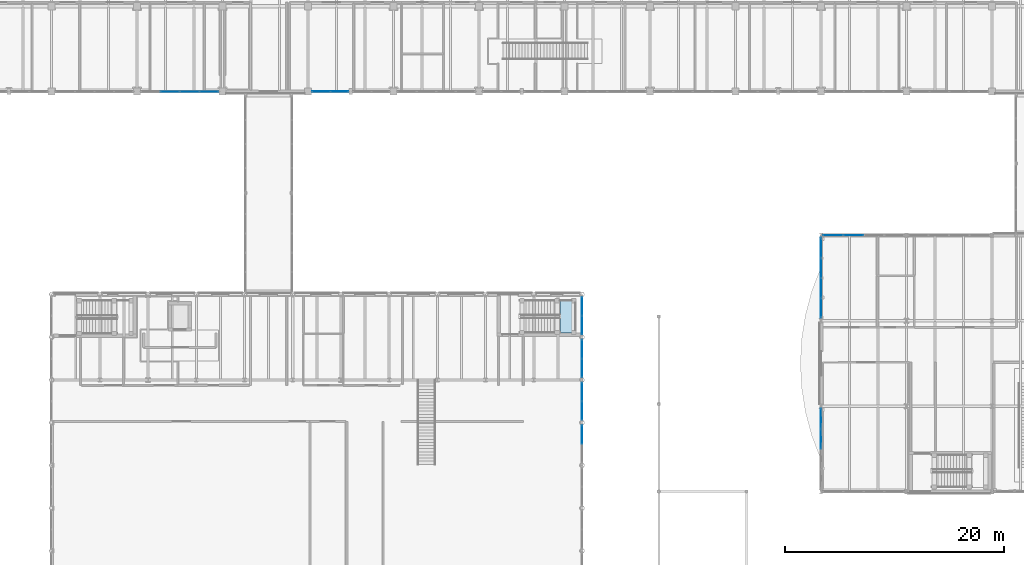
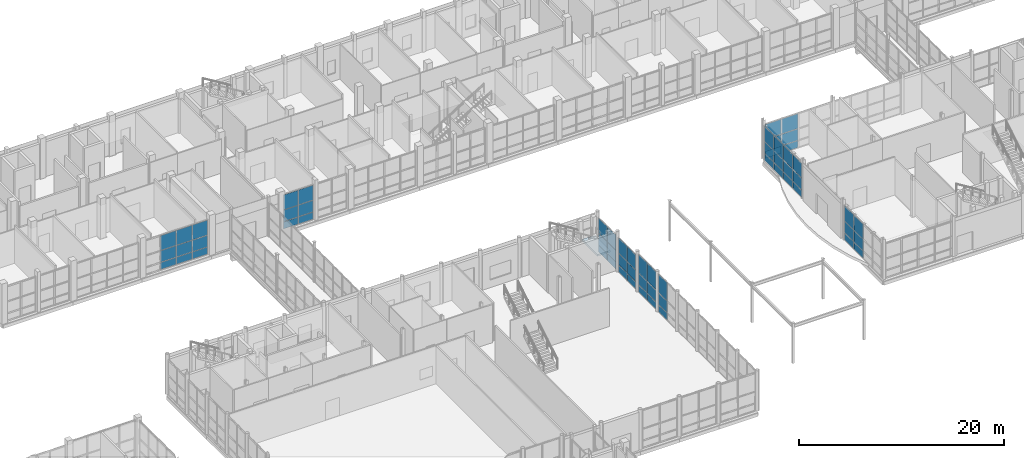
# One storey, part 79 of 131: 60 plates, 1 slab, 10 elements without a shape of their own.
"""IFC4 building model written with IfcOpenShell, lengths in metres."""

from ifc_helpers import new_model, si_unit, direction, frame, origin, origin_2d, place, context, subcontext, project, spatial, polyline, rectangle, outline, extrude, material, layer, layer_set, type_object, element, aggregate, save


model = new_model("IFC4")

# Units and contexts
model_context = context("Model", 3, precision=1e-05, world=origin(), true_north=direction((0.0, 1.0)))
body_context = subcontext(model_context, "Body", "Model", "MODEL_VIEW")
ifc_project = project(units=[si_unit("LENGTHUNIT", "METRE"), si_unit("AREAUNIT", "SQUARE_METRE"), si_unit("VOLUMEUNIT", "CUBIC_METRE"), si_unit("PLANEANGLEUNIT", "RADIAN"), si_unit("MASSUNIT", "GRAM", prefix="KILO")], contexts=[model_context])

# Site, building, storey
site_placement = place(None, origin())
site = spatial("IfcSite", under=ifc_project, at=site_placement, CompositionType="ELEMENT")
building_placement = place(site_placement, origin())
building = spatial("IfcBuilding", under=site, at=building_placement, Name="Celorna Specialist Clinic", CompositionType="ELEMENT")
storey_placement = place(building_placement, origin())
storey = spatial("IfcBuildingStorey", under=building, at=storey_placement, Name="L00", CompositionType="ELEMENT", Elevation=0.0)

# Curtain wall, plates
ifc_material_1 = material(Name="Thermally broken aluminium and solar-control glass curtain wall", Category="aluminium")
ifc_layer_1 = layer(ifc_material_1, 0.159912109375, Name="Thermally broken aluminium and solar-control glass curtain wall")
ifc_layer_set_1 = layer_set([ifc_layer_1], Name="Thermally broken aluminium and solar-control glass curtain wall")
curtain_wall_type_1 = type_object("IfcCurtainWallType", Name="CW-06", PredefinedType="NOTDEFINED", material=ifc_layer_set_1)
curtain_wall_1_placement = place(storey_placement, origin())
curtain_wall_1 = element("IfcCurtainWall", 1, at=curtain_wall_1_placement, inside=storey, type_object=curtain_wall_type_1, Name="Curtain wall CW-06 #22", PredefinedType="NOTDEFINED")
ifc_material_2 = material(Name="Low-e double glazing", Category="glass")
ifc_layer_2 = layer(ifc_material_2, 0.028076171875, Name="Low-e double glazing")
ifc_layer_set_2 = layer_set([ifc_layer_2], Name="Low-e double glazing")
plate_type_1 = type_object("IfcPlateType", Name="CPN-01", PredefinedType="CURTAIN_PANEL", material=ifc_layer_set_2)
plate_1_placement = place(storey_placement, frame((103.0, 69.10888671875, 0.0498046875), z_axis=(0.0, 0.0, 1.0), x_axis=(0.0, -1.0, 0.0)))
plate_1 = element("IfcPlate", 2, at=plate_1_placement, type_object=plate_type_1, Name="CW-06 panel 1.1", PredefinedType="CURTAIN_PANEL", context=body_context, shape_type="SweptSolid", body=[
    extrude(rectangle(XDim=1.667724609375, YDim=0.028076171875, at=origin_2d()), origin(), (0.0, 0.0, 1.0), 0.824951171875),
])
plate_2_placement = place(storey_placement, frame((103.0, 69.10888671875, 0.925048828125), z_axis=(0.0, 0.0, 1.0), x_axis=(0.0, -1.0, 0.0)))
plate_2 = element("IfcPlate", 3, at=plate_2_placement, type_object=plate_type_1, Name="CW-06 panel 1.2", PredefinedType="CURTAIN_PANEL", context=body_context, shape_type="SweptSolid", body=[
    extrude(rectangle(XDim=1.667724609375, YDim=0.028076171875, at=origin_2d()), origin(), (0.0, 0.0, 1.0), 1.35009765625),
])
plate_3_placement = place(storey_placement, frame((103.0, 69.10888671875, 2.324951171875), z_axis=(0.0, 0.0, 1.0), x_axis=(0.0, -1.0, 0.0)))
plate_3 = element("IfcPlate", 4, at=plate_3_placement, type_object=plate_type_1, Name="CW-06 panel 1.3", PredefinedType="CURTAIN_PANEL", context=body_context, shape_type="SweptSolid", body=[
    extrude(rectangle(XDim=1.667724609375, YDim=0.028076171875, at=origin_2d()), origin(), (0.0, 0.0, 1.0), 2.1650390625),
])
plate_4_placement = place(storey_placement, frame((103.0, 67.39111328125, 0.0498046875), z_axis=(0.0, 0.0, 1.0), x_axis=(0.0, -1.0, 0.0)))
plate_4 = element("IfcPlate", 5, at=plate_4_placement, type_object=plate_type_1, Name="CW-06 panel 2.1", PredefinedType="CURTAIN_PANEL", context=body_context, shape_type="SweptSolid", body=[
    extrude(rectangle(XDim=1.667724609375, YDim=0.028076171875, at=origin_2d()), origin(), (0.0, 0.0, 1.0), 0.824951171875),
])
plate_5_placement = place(storey_placement, frame((103.0, 67.39111328125, 0.925048828125), z_axis=(0.0, 0.0, 1.0), x_axis=(0.0, -1.0, 0.0)))
plate_5 = element("IfcPlate", 6, at=plate_5_placement, type_object=plate_type_1, Name="CW-06 panel 2.2", PredefinedType="CURTAIN_PANEL", context=body_context, shape_type="SweptSolid", body=[
    extrude(rectangle(XDim=1.667724609375, YDim=0.028076171875, at=origin_2d()), origin(), (0.0, 0.0, 1.0), 1.35009765625),
])
plate_6_placement = place(storey_placement, frame((103.0, 67.39111328125, 2.324951171875), z_axis=(0.0, 0.0, 1.0), x_axis=(0.0, -1.0, 0.0)))
plate_6 = element("IfcPlate", 7, at=plate_6_placement, type_object=plate_type_1, Name="CW-06 panel 2.3", PredefinedType="CURTAIN_PANEL", context=body_context, shape_type="SweptSolid", body=[
    extrude(rectangle(XDim=1.667724609375, YDim=0.028076171875, at=origin_2d()), origin(), (0.0, 0.0, 1.0), 2.1650390625),
])
aggregate(curtain_wall_1, [plate_1, plate_2, plate_3, plate_4, plate_5, plate_6])

curtain_wall_2_placement = place(storey_placement, origin())
curtain_wall_2 = element("IfcCurtainWall", 8, at=curtain_wall_2_placement, inside=storey, type_object=curtain_wall_type_1, Name="Curtain wall CW-06 #23", PredefinedType="NOTDEFINED")
plate_7_placement = place(storey_placement, frame((103.0, 65.208984375, 0.0498046875), z_axis=(0.0, 0.0, 1.0), x_axis=(0.0, -1.0, 0.0)))
plate_7 = element("IfcPlate", 9, at=plate_7_placement, type_object=plate_type_1, Name="CW-06 panel 1.1", PredefinedType="CURTAIN_PANEL", context=body_context, shape_type="SweptSolid", body=[
    extrude(rectangle(XDim=1.667724609375, YDim=0.028076171875, at=origin_2d()), origin(), (0.0, 0.0, 1.0), 0.824951171875),
])
plate_8_placement = place(storey_placement, frame((103.0, 65.208984375, 0.925048828125), z_axis=(0.0, 0.0, 1.0), x_axis=(0.0, -1.0, 0.0)))
plate_8 = element("IfcPlate", 10, at=plate_8_placement, type_object=plate_type_1, Name="CW-06 panel 1.2", PredefinedType="CURTAIN_PANEL", context=body_context, shape_type="SweptSolid", body=[
    extrude(rectangle(XDim=1.667724609375, YDim=0.028076171875, at=origin_2d()), origin(), (0.0, 0.0, 1.0), 1.35009765625),
])
plate_9_placement = place(storey_placement, frame((103.0, 65.208984375, 2.324951171875), z_axis=(0.0, 0.0, 1.0), x_axis=(0.0, -1.0, 0.0)))
plate_9 = element("IfcPlate", 11, at=plate_9_placement, type_object=plate_type_1, Name="CW-06 panel 1.3", PredefinedType="CURTAIN_PANEL", context=body_context, shape_type="SweptSolid", body=[
    extrude(rectangle(XDim=1.667724609375, YDim=0.028076171875, at=origin_2d()), origin(), (0.0, 0.0, 1.0), 2.1650390625),
])
aggregate(curtain_wall_2, [plate_7, plate_8, plate_9])

ifc_layer_3 = layer(ifc_material_1, 0.159912109375, Name="Thermally broken aluminium and solar-control glass curtain wall")
ifc_layer_set_3 = layer_set([ifc_layer_3], Name="Thermally broken aluminium and solar-control glass curtain wall")
curtain_wall_type_2 = type_object("IfcCurtainWallType", Name="CW-39", PredefinedType="NOTDEFINED", material=ifc_layer_set_3)
curtain_wall_3_placement = place(storey_placement, origin())
curtain_wall_3 = element("IfcCurtainWall", 12, at=curtain_wall_3_placement, inside=storey, type_object=curtain_wall_type_2, Name="Curtain wall CW-39 #74", PredefinedType="NOTDEFINED")
plate_10_placement = place(storey_placement, frame((124.800048828125, 76.73681640625, 0.0498046875), z_axis=(0.0, 0.0, 1.0), x_axis=(0.0, 1.0, 0.0)))
plate_10 = element("IfcPlate", 13, at=plate_10_placement, type_object=plate_type_1, Name="CW-39 panel 1.1", PredefinedType="CURTAIN_PANEL", context=body_context, shape_type="SweptSolid", body=[
    extrude(rectangle(XDim=1.775390625, YDim=0.028076171875, at=origin_2d()), origin(), (0.0, 0.0, 1.0), 0.824951171875),
])
plate_11_placement = place(storey_placement, frame((124.800048828125, 76.73681640625, 0.925048828125), z_axis=(0.0, 0.0, 1.0), x_axis=(0.0, 1.0, 0.0)))
plate_11 = element("IfcPlate", 14, at=plate_11_placement, type_object=plate_type_1, Name="CW-39 panel 1.2", PredefinedType="CURTAIN_PANEL", context=body_context, shape_type="SweptSolid", body=[
    extrude(rectangle(XDim=1.775390625, YDim=0.028076171875, at=origin_2d()), origin(), (0.0, 0.0, 1.0), 1.35009765625),
])
plate_12_placement = place(storey_placement, frame((124.800048828125, 76.73681640625, 2.3251953125), z_axis=(0.0, 0.0, 1.0), x_axis=(0.0, 1.0, 0.0)))
plate_12 = element("IfcPlate", 15, at=plate_12_placement, type_object=plate_type_1, Name="CW-39 panel 1.3", PredefinedType="CURTAIN_PANEL", context=body_context, shape_type="SweptSolid", body=[
    extrude(rectangle(XDim=1.775390625, YDim=0.028076171875, at=origin_2d()), origin(), (0.0, 0.0, 1.0), 1.764892578125),
])
plate_13_placement = place(storey_placement, frame((124.800048828125, 78.57470703125, 0.0498046875), z_axis=(0.0, 0.0, 1.0), x_axis=(0.0, 1.0, 0.0)))
plate_13 = element("IfcPlate", 16, at=plate_13_placement, type_object=plate_type_1, Name="CW-39 panel 2.1", PredefinedType="CURTAIN_PANEL", context=body_context, shape_type="SweptSolid", body=[
    extrude(rectangle(XDim=1.800537109375, YDim=0.028076171875, at=origin_2d()), origin(), (0.0, 0.0, 1.0), 0.824951171875),
])
plate_14_placement = place(storey_placement, frame((124.800048828125, 78.57470703125, 0.925048828125), z_axis=(0.0, 0.0, 1.0), x_axis=(0.0, 1.0, 0.0)))
plate_14 = element("IfcPlate", 17, at=plate_14_placement, type_object=plate_type_1, Name="CW-39 panel 2.2", PredefinedType="CURTAIN_PANEL", context=body_context, shape_type="SweptSolid", body=[
    extrude(rectangle(XDim=1.800537109375, YDim=0.028076171875, at=origin_2d()), origin(), (0.0, 0.0, 1.0), 1.35009765625),
])
plate_15_placement = place(storey_placement, frame((124.800048828125, 78.57470703125, 2.3251953125), z_axis=(0.0, 0.0, 1.0), x_axis=(0.0, 1.0, 0.0)))
plate_15 = element("IfcPlate", 18, at=plate_15_placement, type_object=plate_type_1, Name="CW-39 panel 2.3", PredefinedType="CURTAIN_PANEL", context=body_context, shape_type="SweptSolid", body=[
    extrude(rectangle(XDim=1.800537109375, YDim=0.028076171875, at=origin_2d()), origin(), (0.0, 0.0, 1.0), 1.764892578125),
])
plate_16_placement = place(storey_placement, frame((124.800048828125, 80.42529296875, 0.0498046875), z_axis=(0.0, 0.0, 1.0), x_axis=(0.0, 1.0, 0.0)))
plate_16 = element("IfcPlate", 19, at=plate_16_placement, type_object=plate_type_1, Name="CW-39 panel 3.1", PredefinedType="CURTAIN_PANEL", context=body_context, shape_type="SweptSolid", body=[
    extrude(rectangle(XDim=1.800537109375, YDim=0.028076171875, at=origin_2d()), origin(), (0.0, 0.0, 1.0), 0.824951171875),
])
plate_17_placement = place(storey_placement, frame((124.800048828125, 80.42529296875, 0.925048828125), z_axis=(0.0, 0.0, 1.0), x_axis=(0.0, 1.0, 0.0)))
plate_17 = element("IfcPlate", 20, at=plate_17_placement, type_object=plate_type_1, Name="CW-39 panel 3.2", PredefinedType="CURTAIN_PANEL", context=body_context, shape_type="SweptSolid", body=[
    extrude(rectangle(XDim=1.800537109375, YDim=0.028076171875, at=origin_2d()), origin(), (0.0, 0.0, 1.0), 1.35009765625),
])
plate_18_placement = place(storey_placement, frame((124.800048828125, 80.42529296875, 2.3251953125), z_axis=(0.0, 0.0, 1.0), x_axis=(0.0, 1.0, 0.0)))
plate_18 = element("IfcPlate", 21, at=plate_18_placement, type_object=plate_type_1, Name="CW-39 panel 3.3", PredefinedType="CURTAIN_PANEL", context=body_context, shape_type="SweptSolid", body=[
    extrude(rectangle(XDim=1.800537109375, YDim=0.028076171875, at=origin_2d()), origin(), (0.0, 0.0, 1.0), 1.764892578125),
])
plate_19_placement = place(storey_placement, frame((124.800048828125, 82.26318359375, 0.0498046875), z_axis=(0.0, 0.0, 1.0), x_axis=(0.0, 1.0, 0.0)))
plate_19 = element("IfcPlate", 22, at=plate_19_placement, type_object=plate_type_1, Name="CW-39 panel 4.1", PredefinedType="CURTAIN_PANEL", context=body_context, shape_type="SweptSolid", body=[
    extrude(rectangle(XDim=1.775390625, YDim=0.028076171875, at=origin_2d()), origin(), (0.0, 0.0, 1.0), 0.824951171875),
])
plate_20_placement = place(storey_placement, frame((124.800048828125, 82.26318359375, 0.925048828125), z_axis=(0.0, 0.0, 1.0), x_axis=(0.0, 1.0, 0.0)))
plate_20 = element("IfcPlate", 23, at=plate_20_placement, type_object=plate_type_1, Name="CW-39 panel 4.2", PredefinedType="CURTAIN_PANEL", context=body_context, shape_type="SweptSolid", body=[
    extrude(rectangle(XDim=1.775390625, YDim=0.028076171875, at=origin_2d()), origin(), (0.0, 0.0, 1.0), 1.35009765625),
])
plate_21_placement = place(storey_placement, frame((124.800048828125, 82.26318359375, 2.3251953125), z_axis=(0.0, 0.0, 1.0), x_axis=(0.0, 1.0, 0.0)))
plate_21 = element("IfcPlate", 24, at=plate_21_placement, type_object=plate_type_1, Name="CW-39 panel 4.3", PredefinedType="CURTAIN_PANEL", context=body_context, shape_type="SweptSolid", body=[
    extrude(rectangle(XDim=1.775390625, YDim=0.028076171875, at=origin_2d()), origin(), (0.0, 0.0, 1.0), 1.764892578125),
])
aggregate(curtain_wall_3, [plate_10, plate_11, plate_12, plate_13, plate_14, plate_15, plate_16, plate_17, plate_18, plate_19, plate_20, plate_21])

ifc_layer_4 = layer(ifc_material_1, 0.159912109375, Name="Thermally broken aluminium and solar-control glass curtain wall")
ifc_layer_set_4 = layer_set([ifc_layer_4], Name="Thermally broken aluminium and solar-control glass curtain wall")
curtain_wall_type_3 = type_object("IfcCurtainWallType", Name="CW-48", PredefinedType="NOTDEFINED", material=ifc_layer_set_4)
curtain_wall_4_placement = place(storey_placement, origin())
curtain_wall_4 = element("IfcCurtainWall", 25, at=curtain_wall_4_placement, inside=storey, type_object=curtain_wall_type_3, Name="Curtain wall CW-48 #89", PredefinedType="NOTDEFINED")
plate_22_placement = place(storey_placement, frame((68.9658203125, 96.5, 0.0498046875), z_axis=(0.0, 0.0, 1.0), x_axis=(-1.0, 0.0, 0.0)))
plate_22 = element("IfcPlate", 26, at=plate_22_placement, type_object=plate_type_1, Name="CW-48 panel 1.1", PredefinedType="CURTAIN_PANEL", context=body_context, shape_type="SweptSolid", body=[
    extrude(rectangle(XDim=1.71044921875, YDim=0.028076171875, at=origin_2d()), origin(), (0.0, 0.0, 1.0), 0.824951171875),
])
plate_23_placement = place(storey_placement, frame((68.9658203125, 96.5, 0.925048828125), z_axis=(0.0, 0.0, 1.0), x_axis=(-1.0, 0.0, 0.0)))
plate_23 = element("IfcPlate", 27, at=plate_23_placement, type_object=plate_type_1, Name="CW-48 panel 1.2", PredefinedType="CURTAIN_PANEL", context=body_context, shape_type="SweptSolid", body=[
    extrude(rectangle(XDim=1.71044921875, YDim=0.028076171875, at=origin_2d()), origin(), (0.0, 0.0, 1.0), 1.35009765625),
])
plate_24_placement = place(storey_placement, frame((68.9658203125, 96.5, 2.3251953125), z_axis=(0.0, 0.0, 1.0), x_axis=(-1.0, 0.0, 0.0)))
plate_24 = element("IfcPlate", 28, at=plate_24_placement, type_object=plate_type_1, Name="CW-48 panel 1.3", PredefinedType="CURTAIN_PANEL", context=body_context, shape_type="SweptSolid", body=[
    extrude(rectangle(XDim=1.71044921875, YDim=0.028076171875, at=origin_2d()), origin(), (0.0, 0.0, 1.0), 1.764892578125),
])
plate_25_placement = place(storey_placement, frame((67.19287109375, 96.5, 0.0498046875), z_axis=(0.0, 0.0, 1.0), x_axis=(-1.0, 0.0, 0.0)))
plate_25 = element("IfcPlate", 29, at=plate_25_placement, type_object=plate_type_1, Name="CW-48 panel 2.1", PredefinedType="CURTAIN_PANEL", context=body_context, shape_type="SweptSolid", body=[
    extrude(rectangle(XDim=1.735595703125, YDim=0.028076171875, at=origin_2d()), origin(), (0.0, 0.0, 1.0), 0.824951171875),
])
plate_26_placement = place(storey_placement, frame((67.19287109375, 96.5, 0.925048828125), z_axis=(0.0, 0.0, 1.0), x_axis=(-1.0, 0.0, 0.0)))
plate_26 = element("IfcPlate", 30, at=plate_26_placement, type_object=plate_type_1, Name="CW-48 panel 2.2", PredefinedType="CURTAIN_PANEL", context=body_context, shape_type="SweptSolid", body=[
    extrude(rectangle(XDim=1.735595703125, YDim=0.028076171875, at=origin_2d()), origin(), (0.0, 0.0, 1.0), 1.35009765625),
])
plate_27_placement = place(storey_placement, frame((67.19287109375, 96.5, 2.3251953125), z_axis=(0.0, 0.0, 1.0), x_axis=(-1.0, 0.0, 0.0)))
plate_27 = element("IfcPlate", 31, at=plate_27_placement, type_object=plate_type_1, Name="CW-48 panel 2.3", PredefinedType="CURTAIN_PANEL", context=body_context, shape_type="SweptSolid", body=[
    extrude(rectangle(XDim=1.735595703125, YDim=0.028076171875, at=origin_2d()), origin(), (0.0, 0.0, 1.0), 1.764892578125),
])
plate_28_placement = place(storey_placement, frame((65.4072265625, 96.5, 0.0498046875), z_axis=(0.0, 0.0, 1.0), x_axis=(-1.0, 0.0, 0.0)))
plate_28 = element("IfcPlate", 32, at=plate_28_placement, type_object=plate_type_1, Name="CW-48 panel 3.1", PredefinedType="CURTAIN_PANEL", context=body_context, shape_type="SweptSolid", body=[
    extrude(rectangle(XDim=1.735595703125, YDim=0.028076171875, at=origin_2d()), origin(), (0.0, 0.0, 1.0), 0.824951171875),
])
plate_29_placement = place(storey_placement, frame((65.4072265625, 96.5, 0.925048828125), z_axis=(0.0, 0.0, 1.0), x_axis=(-1.0, 0.0, 0.0)))
plate_29 = element("IfcPlate", 33, at=plate_29_placement, type_object=plate_type_1, Name="CW-48 panel 3.2", PredefinedType="CURTAIN_PANEL", context=body_context, shape_type="SweptSolid", body=[
    extrude(rectangle(XDim=1.735595703125, YDim=0.028076171875, at=origin_2d()), origin(), (0.0, 0.0, 1.0), 1.35009765625),
])
plate_30_placement = place(storey_placement, frame((65.4072265625, 96.5, 2.3251953125), z_axis=(0.0, 0.0, 1.0), x_axis=(-1.0, 0.0, 0.0)))
plate_30 = element("IfcPlate", 34, at=plate_30_placement, type_object=plate_type_1, Name="CW-48 panel 3.3", PredefinedType="CURTAIN_PANEL", context=body_context, shape_type="SweptSolid", body=[
    extrude(rectangle(XDim=1.735595703125, YDim=0.028076171875, at=origin_2d()), origin(), (0.0, 0.0, 1.0), 1.764892578125),
])
aggregate(curtain_wall_4, [plate_22, plate_23, plate_24, plate_25, plate_26, plate_27, plate_28, plate_29, plate_30])

ifc_layer_5 = layer(ifc_material_1, 0.159912109375, Name="Thermally broken aluminium and solar-control glass curtain wall")
ifc_layer_set_5 = layer_set([ifc_layer_5], Name="Thermally broken aluminium and solar-control glass curtain wall")
curtain_wall_type_4 = type_object("IfcCurtainWallType", Name="CW-07", PredefinedType="NOTDEFINED", material=ifc_layer_set_5)
curtain_wall_5_placement = place(storey_placement, origin())
curtain_wall_5 = element("IfcCurtainWall", 35, at=curtain_wall_5_placement, inside=storey, type_object=curtain_wall_type_4, Name="Curtain wall CW-07 #24", PredefinedType="NOTDEFINED")
ifc_material_3 = material(Name="Solar-control triple glazing", Category="glass")
ifc_layer_6 = layer(ifc_material_3, 0.035888671875, Name="Solar-control triple glazing")
ifc_layer_set_6 = layer_set([ifc_layer_6], Name="Solar-control triple glazing")
plate_type_2 = type_object("IfcPlateType", Name="CPN-02", PredefinedType="CURTAIN_PANEL", material=ifc_layer_set_6)
plate_31_placement = place(storey_placement, frame((103.0, 76.908935546875, 0.0498046875), z_axis=(0.0, 0.0, 1.0), x_axis=(0.0, -1.0, 0.0)))
plate_31 = element("IfcPlate", 36, at=plate_31_placement, type_object=plate_type_2, Name="CW-07 panel 1.1", PredefinedType="CURTAIN_PANEL", context=body_context, shape_type="SweptSolid", body=[
    extrude(rectangle(XDim=1.667724609375, YDim=0.035888671875, at=origin_2d()), origin(), (0.0, 0.0, 1.0), 0.824951171875),
])
plate_32_placement = place(storey_placement, frame((103.0, 76.908935546875, 0.925048828125), z_axis=(0.0, 0.0, 1.0), x_axis=(0.0, -1.0, 0.0)))
plate_32 = element("IfcPlate", 37, at=plate_32_placement, type_object=plate_type_2, Name="CW-07 panel 1.2", PredefinedType="CURTAIN_PANEL", context=body_context, shape_type="SweptSolid", body=[
    extrude(rectangle(XDim=1.667724609375, YDim=0.035888671875, at=origin_2d()), origin(), (0.0, 0.0, 1.0), 1.35009765625),
])
plate_33_placement = place(storey_placement, frame((103.0, 76.908935546875, 2.3251953125), z_axis=(0.0, 0.0, 1.0), x_axis=(0.0, -1.0, 0.0)))
plate_33 = element("IfcPlate", 38, at=plate_33_placement, type_object=plate_type_2, Name="CW-07 panel 1.3", PredefinedType="CURTAIN_PANEL", context=body_context, shape_type="SweptSolid", body=[
    extrude(rectangle(XDim=1.667724609375, YDim=0.035888671875, at=origin_2d()), origin(), (0.0, 0.0, 1.0), 1.764892578125),
])
plate_34_placement = place(storey_placement, frame((103.0, 75.191162109375, 0.0498046875), z_axis=(0.0, 0.0, 1.0), x_axis=(0.0, -1.0, 0.0)))
plate_34 = element("IfcPlate", 39, at=plate_34_placement, type_object=plate_type_2, Name="CW-07 panel 2.1", PredefinedType="CURTAIN_PANEL", context=body_context, shape_type="SweptSolid", body=[
    extrude(rectangle(XDim=1.667724609375, YDim=0.035888671875, at=origin_2d()), origin(), (0.0, 0.0, 1.0), 0.824951171875),
])
plate_35_placement = place(storey_placement, frame((103.0, 75.191162109375, 0.925048828125), z_axis=(0.0, 0.0, 1.0), x_axis=(0.0, -1.0, 0.0)))
plate_35 = element("IfcPlate", 40, at=plate_35_placement, type_object=plate_type_2, Name="CW-07 panel 2.2", PredefinedType="CURTAIN_PANEL", context=body_context, shape_type="SweptSolid", body=[
    extrude(rectangle(XDim=1.667724609375, YDim=0.035888671875, at=origin_2d()), origin(), (0.0, 0.0, 1.0), 1.35009765625),
])
plate_36_placement = place(storey_placement, frame((103.0, 75.191162109375, 2.3251953125), z_axis=(0.0, 0.0, 1.0), x_axis=(0.0, -1.0, 0.0)))
plate_36 = element("IfcPlate", 41, at=plate_36_placement, type_object=plate_type_2, Name="CW-07 panel 2.3", PredefinedType="CURTAIN_PANEL", context=body_context, shape_type="SweptSolid", body=[
    extrude(rectangle(XDim=1.667724609375, YDim=0.035888671875, at=origin_2d()), origin(), (0.0, 0.0, 1.0), 1.764892578125),
])
aggregate(curtain_wall_5, [plate_31, plate_32, plate_33, plate_34, plate_35, plate_36])

curtain_wall_6_placement = place(storey_placement, origin())
curtain_wall_6 = element("IfcCurtainWall", 42, at=curtain_wall_6_placement, inside=storey, type_object=curtain_wall_type_4, Name="Curtain wall CW-07 #25", PredefinedType="NOTDEFINED")
plate_37_placement = place(storey_placement, frame((103.0, 73.0087890625, 0.0498046875), z_axis=(0.0, 0.0, 1.0), x_axis=(0.0, -1.0, 0.0)))
plate_37 = element("IfcPlate", 43, at=plate_37_placement, type_object=plate_type_2, Name="CW-07 panel 1.1", PredefinedType="CURTAIN_PANEL", context=body_context, shape_type="SweptSolid", body=[
    extrude(rectangle(XDim=1.667724609375, YDim=0.035888671875, at=origin_2d()), origin(), (0.0, 0.0, 1.0), 0.824951171875),
])
plate_38_placement = place(storey_placement, frame((103.0, 73.0087890625, 0.925048828125), z_axis=(0.0, 0.0, 1.0), x_axis=(0.0, -1.0, 0.0)))
plate_38 = element("IfcPlate", 44, at=plate_38_placement, type_object=plate_type_2, Name="CW-07 panel 1.2", PredefinedType="CURTAIN_PANEL", context=body_context, shape_type="SweptSolid", body=[
    extrude(rectangle(XDim=1.667724609375, YDim=0.035888671875, at=origin_2d()), origin(), (0.0, 0.0, 1.0), 1.35009765625),
])
plate_39_placement = place(storey_placement, frame((103.0, 73.0087890625, 2.3251953125), z_axis=(0.0, 0.0, 1.0), x_axis=(0.0, -1.0, 0.0)))
plate_39 = element("IfcPlate", 45, at=plate_39_placement, type_object=plate_type_2, Name="CW-07 panel 1.3", PredefinedType="CURTAIN_PANEL", context=body_context, shape_type="SweptSolid", body=[
    extrude(rectangle(XDim=1.667724609375, YDim=0.035888671875, at=origin_2d()), origin(), (0.0, 0.0, 1.0), 1.764892578125),
])
plate_40_placement = place(storey_placement, frame((103.0, 71.291015625, 0.0498046875), z_axis=(0.0, 0.0, 1.0), x_axis=(0.0, -1.0, 0.0)))
plate_40 = element("IfcPlate", 46, at=plate_40_placement, type_object=plate_type_2, Name="CW-07 panel 2.1", PredefinedType="CURTAIN_PANEL", context=body_context, shape_type="SweptSolid", body=[
    extrude(rectangle(XDim=1.667724609375, YDim=0.035888671875, at=origin_2d()), origin(), (0.0, 0.0, 1.0), 0.824951171875),
])
plate_41_placement = place(storey_placement, frame((103.0, 71.291015625, 0.925048828125), z_axis=(0.0, 0.0, 1.0), x_axis=(0.0, -1.0, 0.0)))
plate_41 = element("IfcPlate", 47, at=plate_41_placement, type_object=plate_type_2, Name="CW-07 panel 2.2", PredefinedType="CURTAIN_PANEL", context=body_context, shape_type="SweptSolid", body=[
    extrude(rectangle(XDim=1.667724609375, YDim=0.035888671875, at=origin_2d()), origin(), (0.0, 0.0, 1.0), 1.35009765625),
])
plate_42_placement = place(storey_placement, frame((103.0, 71.291015625, 2.3251953125), z_axis=(0.0, 0.0, 1.0), x_axis=(0.0, -1.0, 0.0)))
plate_42 = element("IfcPlate", 48, at=plate_42_placement, type_object=plate_type_2, Name="CW-07 panel 2.3", PredefinedType="CURTAIN_PANEL", context=body_context, shape_type="SweptSolid", body=[
    extrude(rectangle(XDim=1.667724609375, YDim=0.035888671875, at=origin_2d()), origin(), (0.0, 0.0, 1.0), 1.764892578125),
])
aggregate(curtain_wall_6, [plate_37, plate_38, plate_39, plate_40, plate_41, plate_42])

ifc_layer_7 = layer(ifc_material_1, 0.159912109375, Name="Thermally broken aluminium and solar-control glass curtain wall")
ifc_layer_set_7 = layer_set([ifc_layer_7], Name="Thermally broken aluminium and solar-control glass curtain wall")
curtain_wall_type_5 = type_object("IfcCurtainWallType", Name="CW-34", PredefinedType="NOTDEFINED", material=ifc_layer_set_7)
curtain_wall_7_placement = place(storey_placement, origin())
curtain_wall_7 = element("IfcCurtainWall", 49, at=curtain_wall_7_placement, inside=storey, type_object=curtain_wall_type_5, Name="Curtain wall CW-34 #69", PredefinedType="NOTDEFINED")
plate_43_placement = place(storey_placement, frame((125.903076171875, 83.39990234375, 0.0498046875), z_axis=(0.0, 0.0, 1.0), x_axis=(1.0, 0.0, 0.0)))
plate_43 = element("IfcPlate", 50, at=plate_43_placement, type_object=plate_type_2, Name="CW-34 panel 1.1", PredefinedType="CURTAIN_PANEL", context=body_context, shape_type="SweptSolid", body=[
    extrude(rectangle(XDim=1.798095703125, YDim=0.035888671875, at=origin_2d()), origin(), (0.0, 0.0, 1.0), 0.824951171875),
])
plate_44_placement = place(storey_placement, frame((125.903076171875, 83.39990234375, 0.925048828125), z_axis=(0.0, 0.0, 1.0), x_axis=(1.0, 0.0, 0.0)))
plate_44 = element("IfcPlate", 51, at=plate_44_placement, type_object=plate_type_2, Name="CW-34 panel 1.2", PredefinedType="CURTAIN_PANEL", context=body_context, shape_type="SweptSolid", body=[
    extrude(rectangle(XDim=1.798095703125, YDim=0.035888671875, at=origin_2d()), origin(), (0.0, 0.0, 1.0), 1.35009765625),
])
plate_45_placement = place(storey_placement, frame((125.903076171875, 83.39990234375, 2.3251953125), z_axis=(0.0, 0.0, 1.0), x_axis=(1.0, 0.0, 0.0)))
plate_45 = element("IfcPlate", 52, at=plate_45_placement, type_object=plate_type_2, Name="CW-34 panel 1.3", PredefinedType="CURTAIN_PANEL", context=body_context, shape_type="SweptSolid", body=[
    extrude(rectangle(XDim=1.798095703125, YDim=0.035888671875, at=origin_2d()), origin(), (0.0, 0.0, 1.0), 1.764892578125),
])
plate_46_placement = place(storey_placement, frame((127.763427734375, 83.39990234375, 0.0498046875), z_axis=(0.0, 0.0, 1.0), x_axis=(1.0, 0.0, 0.0)))
plate_46 = element("IfcPlate", 53, at=plate_46_placement, type_object=plate_type_2, Name="CW-34 panel 2.1", PredefinedType="CURTAIN_PANEL", context=body_context, shape_type="SweptSolid", body=[
    extrude(rectangle(XDim=1.822998046875, YDim=0.035888671875, at=origin_2d()), origin(), (0.0, 0.0, 1.0), 0.824951171875),
])
plate_47_placement = place(storey_placement, frame((127.763427734375, 83.39990234375, 0.925048828125), z_axis=(0.0, 0.0, 1.0), x_axis=(1.0, 0.0, 0.0)))
plate_47 = element("IfcPlate", 54, at=plate_47_placement, type_object=plate_type_2, Name="CW-34 panel 2.2", PredefinedType="CURTAIN_PANEL", context=body_context, shape_type="SweptSolid", body=[
    extrude(rectangle(XDim=1.822998046875, YDim=0.035888671875, at=origin_2d()), origin(), (0.0, 0.0, 1.0), 1.35009765625),
])
plate_48_placement = place(storey_placement, frame((127.763427734375, 83.39990234375, 2.3251953125), z_axis=(0.0, 0.0, 1.0), x_axis=(1.0, 0.0, 0.0)))
plate_48 = element("IfcPlate", 55, at=plate_48_placement, type_object=plate_type_2, Name="CW-34 panel 2.3", PredefinedType="CURTAIN_PANEL", context=body_context, shape_type="SweptSolid", body=[
    extrude(rectangle(XDim=1.822998046875, YDim=0.035888671875, at=origin_2d()), origin(), (0.0, 0.0, 1.0), 1.764892578125),
])
aggregate(curtain_wall_7, [plate_43, plate_44, plate_45, plate_46, plate_47, plate_48])

ifc_layer_8 = layer(ifc_material_1, 0.159912109375, Name="Thermally broken aluminium and solar-control glass curtain wall")
ifc_layer_set_8 = layer_set([ifc_layer_8], Name="Thermally broken aluminium and solar-control glass curtain wall")
curtain_wall_type_6 = type_object("IfcCurtainWallType", Name="CW-38", PredefinedType="NOTDEFINED", material=ifc_layer_set_8)
curtain_wall_8_placement = place(storey_placement, origin())
curtain_wall_8 = element("IfcCurtainWall", 56, at=curtain_wall_8_placement, inside=storey, type_object=curtain_wall_type_6, Name="Curtain wall CW-38 #73", PredefinedType="NOTDEFINED")
plate_49_placement = place(storey_placement, frame((124.800048828125, 64.8251953125, 0.0498046875), z_axis=(0.0, 0.0, 1.0), x_axis=(0.0, 1.0, 0.0)))
plate_49 = element("IfcPlate", 57, at=plate_49_placement, type_object=plate_type_2, Name="CW-38 panel 3.1", PredefinedType="CURTAIN_PANEL", context=body_context, shape_type="SweptSolid", body=[
    extrude(rectangle(XDim=1.800537109375, YDim=0.035888671875, at=origin_2d()), origin(), (0.0, 0.0, 1.0), 0.824951171875),
])
plate_50_placement = place(storey_placement, frame((124.800048828125, 64.8251953125, 0.925048828125), z_axis=(0.0, 0.0, 1.0), x_axis=(0.0, 1.0, 0.0)))
plate_50 = element("IfcPlate", 58, at=plate_50_placement, type_object=plate_type_2, Name="CW-38 panel 3.2", PredefinedType="CURTAIN_PANEL", context=body_context, shape_type="SweptSolid", body=[
    extrude(rectangle(XDim=1.800537109375, YDim=0.035888671875, at=origin_2d()), origin(), (0.0, 0.0, 1.0), 1.35009765625),
])
plate_51_placement = place(storey_placement, frame((124.800048828125, 64.8251953125, 2.3251953125), z_axis=(0.0, 0.0, 1.0), x_axis=(0.0, 1.0, 0.0)))
plate_51 = element("IfcPlate", 59, at=plate_51_placement, type_object=plate_type_2, Name="CW-38 panel 3.3", PredefinedType="CURTAIN_PANEL", context=body_context, shape_type="SweptSolid", body=[
    extrude(rectangle(XDim=1.800537109375, YDim=0.035888671875, at=origin_2d()), origin(), (0.0, 0.0, 1.0), 1.764892578125),
])
plate_52_placement = place(storey_placement, frame((124.800048828125, 66.663330078125, 0.0498046875), z_axis=(0.0, 0.0, 1.0), x_axis=(0.0, 1.0, 0.0)))
plate_52 = element("IfcPlate", 60, at=plate_52_placement, type_object=plate_type_2, Name="CW-38 panel 4.1", PredefinedType="CURTAIN_PANEL", context=body_context, shape_type="SweptSolid", body=[
    extrude(rectangle(XDim=1.775390625, YDim=0.035888671875, at=origin_2d()), origin(), (0.0, 0.0, 1.0), 0.824951171875),
])
plate_53_placement = place(storey_placement, frame((124.800048828125, 66.663330078125, 0.925048828125), z_axis=(0.0, 0.0, 1.0), x_axis=(0.0, 1.0, 0.0)))
plate_53 = element("IfcPlate", 61, at=plate_53_placement, type_object=plate_type_2, Name="CW-38 panel 4.2", PredefinedType="CURTAIN_PANEL", context=body_context, shape_type="SweptSolid", body=[
    extrude(rectangle(XDim=1.775390625, YDim=0.035888671875, at=origin_2d()), origin(), (0.0, 0.0, 1.0), 1.35009765625),
])
plate_54_placement = place(storey_placement, frame((124.800048828125, 66.663330078125, 2.3251953125), z_axis=(0.0, 0.0, 1.0), x_axis=(0.0, 1.0, 0.0)))
plate_54 = element("IfcPlate", 62, at=plate_54_placement, type_object=plate_type_2, Name="CW-38 panel 4.3", PredefinedType="CURTAIN_PANEL", context=body_context, shape_type="SweptSolid", body=[
    extrude(rectangle(XDim=1.775390625, YDim=0.035888671875, at=origin_2d()), origin(), (0.0, 0.0, 1.0), 1.764892578125),
])
aggregate(curtain_wall_8, [plate_49, plate_50, plate_51, plate_52, plate_53, plate_54])

ifc_layer_9 = layer(ifc_material_1, 0.159912109375, Name="Thermally broken aluminium and solar-control glass curtain wall")
ifc_layer_set_9 = layer_set([ifc_layer_9], Name="Thermally broken aluminium and solar-control glass curtain wall")
curtain_wall_type_7 = type_object("IfcCurtainWallType", Name="CW-49", PredefinedType="NOTDEFINED", material=ifc_layer_set_9)
curtain_wall_9_placement = place(storey_placement, origin())
curtain_wall_9 = element("IfcCurtainWall", 63, at=curtain_wall_9_placement, inside=storey, type_object=curtain_wall_type_7, Name="Curtain wall CW-49 #91", PredefinedType="NOTDEFINED")
ifc_material_4 = material(Name="Glazed polychrome ceramic insulated spandrel")
ifc_layer_10 = layer(ifc_material_4, 0.0439453125, Name="Glazed polychrome ceramic insulated spandrel")
ifc_layer_set_10 = layer_set([ifc_layer_10], Name="Glazed polychrome ceramic insulated spandrel")
plate_type_3 = type_object("IfcPlateType", Name="CPN-03", PredefinedType="CURTAIN_PANEL", material=ifc_layer_set_10)
plate_55_placement = place(storey_placement, frame((80.860595703125, 96.5, 0.0498046875), z_axis=(0.0, 0.0, 1.0), x_axis=(-1.0, 0.0, 0.0)))
plate_55 = element("IfcPlate", 64, at=plate_55_placement, type_object=plate_type_3, Name="CW-49 panel 1.1", PredefinedType="CURTAIN_PANEL", context=body_context, shape_type="SweptSolid", body=[
    extrude(rectangle(XDim=1.62109375, YDim=0.0439453125, at=origin_2d()), origin(), (0.0, 0.0, 1.0), 0.824951171875),
])
plate_56_placement = place(storey_placement, frame((80.860595703125, 96.5, 0.925048828125), z_axis=(0.0, 0.0, 1.0), x_axis=(-1.0, 0.0, 0.0)))
plate_56 = element("IfcPlate", 65, at=plate_56_placement, type_object=plate_type_3, Name="CW-49 panel 1.2", PredefinedType="CURTAIN_PANEL", context=body_context, shape_type="SweptSolid", body=[
    extrude(rectangle(XDim=1.62109375, YDim=0.0439453125, at=origin_2d()), origin(), (0.0, 0.0, 1.0), 1.35009765625),
])
plate_57_placement = place(storey_placement, frame((80.860595703125, 96.5, 2.3251953125), z_axis=(0.0, 0.0, 1.0), x_axis=(-1.0, 0.0, 0.0)))
plate_57 = element("IfcPlate", 66, at=plate_57_placement, type_object=plate_type_3, Name="CW-49 panel 1.3", PredefinedType="CURTAIN_PANEL", context=body_context, shape_type="SweptSolid", body=[
    extrude(rectangle(XDim=1.62109375, YDim=0.0439453125, at=origin_2d()), origin(), (0.0, 0.0, 1.0), 1.764892578125),
])
plate_58_placement = place(storey_placement, frame((79.189453125, 96.5, 0.0498046875), z_axis=(0.0, 0.0, 1.0), x_axis=(-1.0, 0.0, 0.0)))
plate_58 = element("IfcPlate", 67, at=plate_58_placement, type_object=plate_type_3, Name="CW-49 panel 2.1", PredefinedType="CURTAIN_PANEL", context=body_context, shape_type="SweptSolid", body=[
    extrude(rectangle(XDim=1.62109375, YDim=0.0439453125, at=origin_2d()), origin(), (0.0, 0.0, 1.0), 0.824951171875),
])
plate_59_placement = place(storey_placement, frame((79.189453125, 96.5, 0.925048828125), z_axis=(0.0, 0.0, 1.0), x_axis=(-1.0, 0.0, 0.0)))
plate_59 = element("IfcPlate", 68, at=plate_59_placement, type_object=plate_type_3, Name="CW-49 panel 2.2", PredefinedType="CURTAIN_PANEL", context=body_context, shape_type="SweptSolid", body=[
    extrude(rectangle(XDim=1.62109375, YDim=0.0439453125, at=origin_2d()), origin(), (0.0, 0.0, 1.0), 1.35009765625),
])
plate_60_placement = place(storey_placement, frame((79.189453125, 96.5, 2.3251953125), z_axis=(0.0, 0.0, 1.0), x_axis=(-1.0, 0.0, 0.0)))
plate_60 = element("IfcPlate", 69, at=plate_60_placement, type_object=plate_type_3, Name="CW-49 panel 2.3", PredefinedType="CURTAIN_PANEL", context=body_context, shape_type="SweptSolid", body=[
    extrude(rectangle(XDim=1.62109375, YDim=0.0439453125, at=origin_2d()), origin(), (0.0, 0.0, 1.0), 1.764892578125),
])
aggregate(curtain_wall_9, [plate_55, plate_56, plate_57, plate_58, plate_59, plate_60])

# Stair, slab
ifc_material_5 = material(Name="Concrete C35/45", Category="concrete")
stair_type = type_object("IfcStairType", Name="ST-03", PredefinedType="HALF_TURN_STAIR", material=ifc_material_5)
stair_placement = place(storey_placement, origin())
stair = element("IfcStair", 70, at=stair_placement, inside=storey, type_object=stair_type, Name="L00 Protected exit stair ST-11", PredefinedType="HALF_TURN_STAIR")
ifc_layer_11 = layer(ifc_material_5, 0.199951171875, Name="Concrete C35/45")
ifc_layer_set_11 = layer_set([ifc_layer_11], Name="Concrete C35/45")
slab_type = type_object("IfcSlabType", Name="SL-11", PredefinedType="LANDING", material=ifc_layer_set_11)
slab_placement = place(storey_placement, frame((0.0, 0.0, 2.199951171875)))
slab = element("IfcSlab", 71, at=slab_placement, type_object=slab_type, Name="ST-11 landing 1", PredefinedType="LANDING", context=body_context, shape_type="SweptSolid", body=[
    extrude(outline(polyline([(100.97998046875, 74.47998046875), (102.43994140625, 74.47998046875), (102.43994140625, 77.47998046875), (100.97998046875, 77.47998046875), (100.97998046875, 74.47998046875)])), origin(), (0.0, 0.0, 1.0), 0.199951171875),
])
aggregate(stair, [slab])

save(model, "model.ifc")
